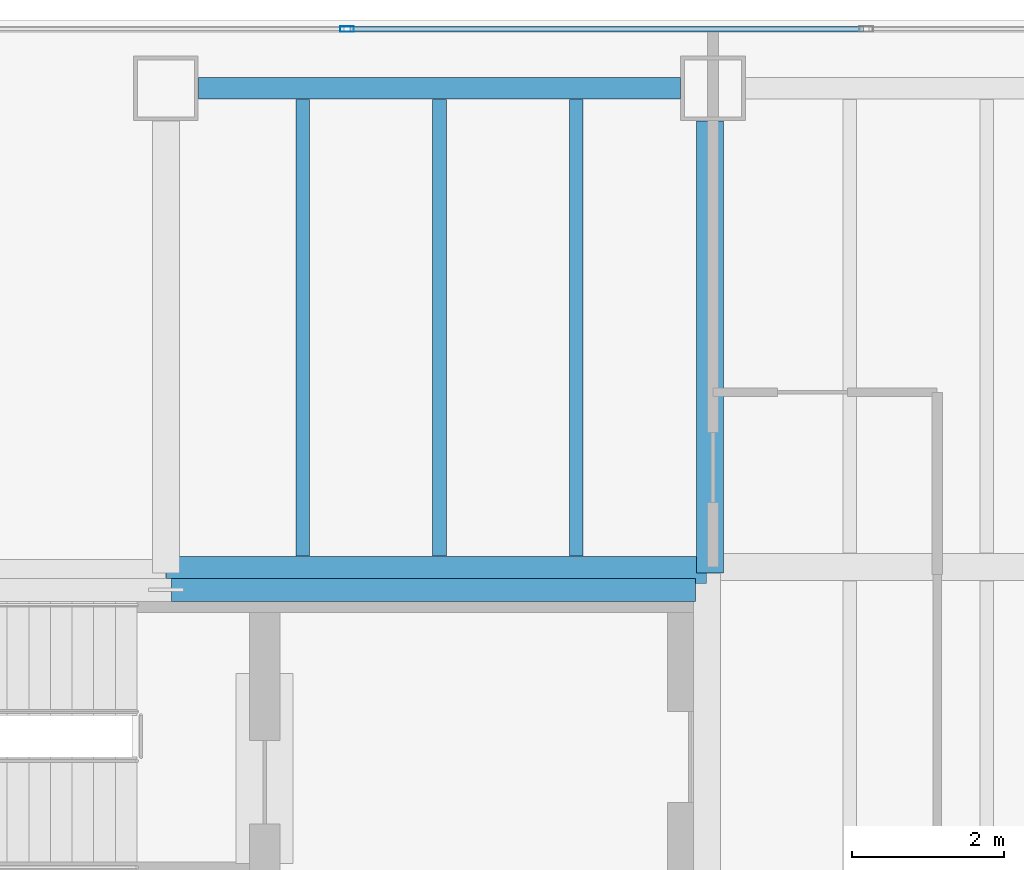
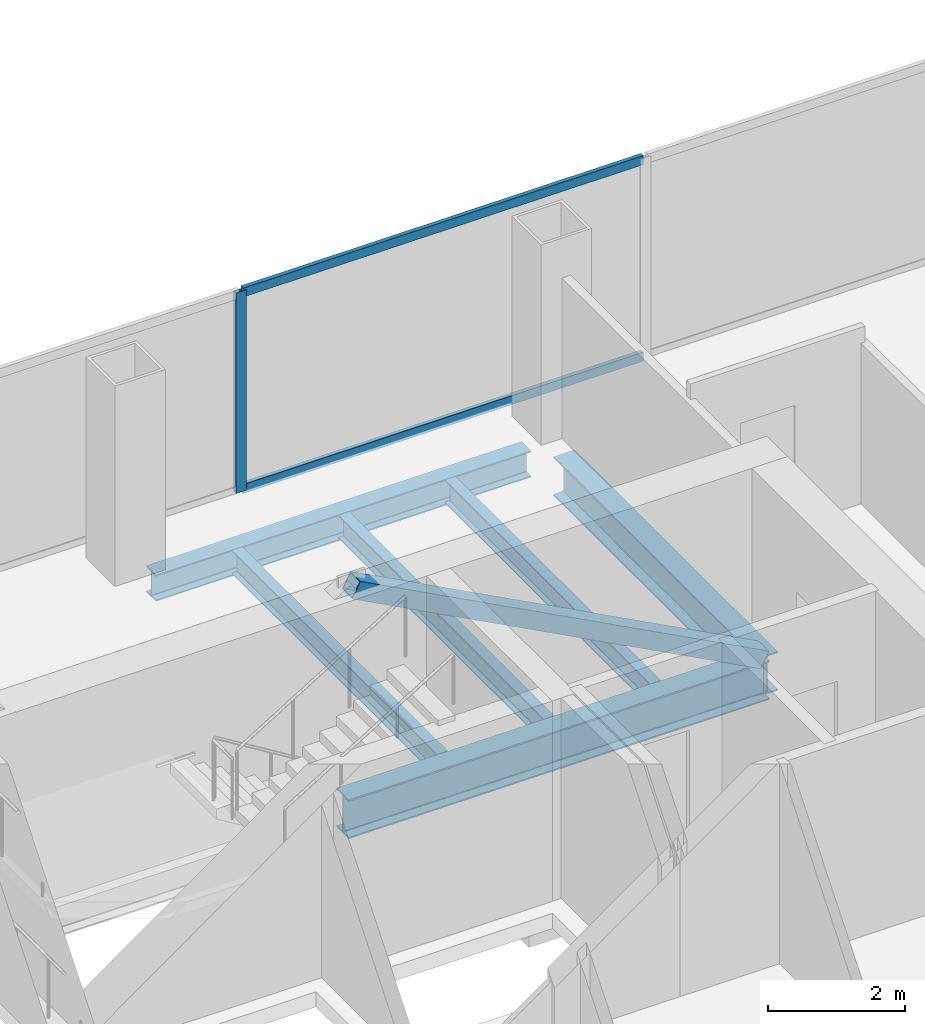
# One storey, part 17 of 23: 6 beams, 4 members, 1 element without a shape of its own.
"""IFC4 building model written with IfcOpenShell, lengths in metres."""

from ifc_helpers import new_model, si_unit, direction, frame, origin, origin_2d, place, context, subcontext, project, spatial, hollow_rectangle, i_section, extrude, material, material_profile, profile_set, type_object, element, aggregate, save


model = new_model("IFC4")

# Units and contexts
model_context = context("Model", 3, precision=1e-05, world=origin(), true_north=direction((0.0, 1.0)))
body_context = subcontext(model_context, "Body", "Model", "MODEL_VIEW")
ifc_project = project(units=[si_unit("LENGTHUNIT", "METRE"), si_unit("AREAUNIT", "SQUARE_METRE"), si_unit("VOLUMEUNIT", "CUBIC_METRE"), si_unit("PLANEANGLEUNIT", "RADIAN"), si_unit("MASSUNIT", "GRAM", prefix="KILO")], contexts=[model_context])

# Site, building, storey
site_placement = place(None, origin())
site = spatial("IfcSite", under=ifc_project, at=site_placement, CompositionType="ELEMENT")
building_placement = place(site_placement, origin())
building = spatial("IfcBuilding", under=site, at=building_placement, Name="Cobrela Telecom Tower", CompositionType="ELEMENT")
storey_placement = place(building_placement, frame((0.0, 0.0, 156.10009765625)))
storey = spatial("IfcBuildingStorey", under=building, at=storey_placement, Name="L39", CompositionType="ELEMENT", Elevation=156.10009765625)

# Beams
ifc_material_1 = material(Name="Steel ASTM A992 Grade 50", Category="steel")
ifc_material_profile_1 = material_profile(ifc_material_1, i_section(OverallWidth=0.35595703125, OverallDepth=0.696044921875, WebThickness=0.015380859375, FlangeThickness=0.024658203125, FilletRadius=0.01806640625, at=origin_2d()), Name="W27X146")
ifc_profile_set_1 = profile_set([ifc_material_profile_1], Name="Steel ASTM A992 Grade 50")
beam_type_1 = type_object("IfcBeamType", Name="BM-GIRD-05", PredefinedType="USERDEFINED", material=ifc_profile_set_1)
beam_1_placement = place(storey_placement, frame((7.205078125, 35.9599609375, -0.6181640625), z_axis=(1.0, 0.0, 0.0), x_axis=(0.0, 1.0, 0.0)))
element("IfcBeam", 1, at=beam_1_placement, inside=storey, type_object=beam_type_1, Name="L39 Primary Girder X22", ObjectType="GIRDER", PredefinedType="USERDEFINED", context=body_context, shape_type="SweptSolid", body=[
    extrude(i_section(OverallWidth=0.35595703125, OverallDepth=0.696044921875, WebThickness=0.015380859375, FlangeThickness=0.024658203125, FilletRadius=0.01806640625, at=origin_2d()), origin(), (0.0, 0.0, 1.0), 7.10986328125),
])
beam_2_placement = place(storey_placement, frame((14.360107421875, 35.925048828125, -0.6181640625), z_axis=(0.0, 1.0, 0.0), x_axis=(-1.0, 0.0, 0.0)))
element("IfcBeam", 2, at=beam_2_placement, inside=storey, type_object=beam_type_1, Name="L39 Primary Girder Y34", ObjectType="GIRDER", PredefinedType="USERDEFINED", context=body_context, shape_type="SweptSolid", body=[
    extrude(i_section(OverallWidth=0.35595703125, OverallDepth=0.696044921875, WebThickness=0.015380859375, FlangeThickness=0.024658203125, FilletRadius=0.01806640625, at=origin_2d()), origin(), (0.0, 0.0, 1.0), 5.945068359375),
])
ifc_material_profile_2 = material_profile(ifc_material_1, i_section(OverallWidth=0.179931640625, OverallDepth=0.4169921875, WebThickness=0.010986328125, FlangeThickness=0.01806640625, FilletRadius=0.011962890625, at=origin_2d()), Name="W16X57")
ifc_profile_set_2 = profile_set([ifc_material_profile_2], Name="Steel ASTM A992 Grade 50")
beam_type_2 = type_object("IfcBeamType", Name="BM-JOIST-04", PredefinedType="JOIST", material=ifc_profile_set_2)
for number, where, z_axis, x_axis, name in (
    (3, (9.0, 36.14306640625, -0.478515625), (0.0, 1.0, 0.0), (-1.0, 0.0, 0.0), "L39 Secondary Composite Floor Beam J01"),
    (4, (10.800048828125, 36.14306640625, -0.478515625), (0.0, 1.0, 0.0), (-1.0, 0.0, 0.0), "L39 Secondary Composite Floor Beam J02"),
    (5, (12.60009765625, 36.14306640625, -0.478515625), (0.0, 1.0, 0.0), (-1.0, 0.0, 0.0), "L39 Secondary Composite Floor Beam J03"),
):
    element("IfcBeam", number, at=place(storey_placement, frame(where, z_axis=z_axis, x_axis=x_axis)), inside=storey, type_object=beam_type_2, Name=name, PredefinedType="JOIST", context=body_context, shape_type="SweptSolid", body=[
        extrude(i_section(OverallWidth=0.179931640625, OverallDepth=0.4169921875, WebThickness=0.010986328125, FlangeThickness=0.01806640625, FilletRadius=0.011962890625, at=origin_2d()), origin(), (0.0, 0.0, 1.0), 6.010986328125),
    ])
ifc_material_profile_3 = material_profile(ifc_material_1, i_section(OverallWidth=0.281982421875, OverallDepth=0.467041015625, WebThickness=0.01220703125, FlangeThickness=0.01953125, FilletRadius=0.012939453125, at=origin_2d()), Name="W18X86")
ifc_profile_set_3 = profile_set([ifc_material_profile_3], Name="Steel ASTM A992 Grade 50")
beam_type_3 = type_object("IfcBeamType", Name="BM-SPAND-04", PredefinedType="SPANDREL", material=ifc_profile_set_3)
beam_3_placement = place(storey_placement, frame((7.6298828125, 42.300048828125, -0.503662109375), z_axis=(1.0, 0.0, 0.0), x_axis=(0.0, 1.0, 0.0)))
element("IfcBeam", 6, at=beam_3_placement, inside=storey, type_object=beam_type_3, Name="L39 Perimeter Spandrel X25", PredefinedType="SPANDREL", context=body_context, shape_type="SweptSolid", body=[
    extrude(i_section(OverallWidth=0.281982421875, OverallDepth=0.467041015625, WebThickness=0.01220703125, FlangeThickness=0.01953125, FilletRadius=0.012939453125, at=origin_2d()), origin(), (0.0, 0.0, 1.0), 6.340087890625),
])

# Curtain wall, members
ifc_material_2 = material(Name="Anodized Bronze Aluminium 6063-T6", Category="aluminium")
curtain_wall_type = type_object("IfcCurtainWallType", Name="CW-SYS-TEL", PredefinedType="USERDEFINED", material=ifc_material_2)
curtain_wall_placement = place(storey_placement, origin())
curtain_wall = element("IfcCurtainWall", 7, at=curtain_wall_placement, inside=storey, type_object=curtain_wall_type, Name="L39 Unitised Bronze Curtain Wall 07", ObjectType="UNITISED CURTAIN WALL", PredefinedType="USERDEFINED")
ifc_material_profile_4 = material_profile(ifc_material_2, hollow_rectangle(XDim=0.074951171875, YDim=0.179931640625, WallThickness=0.00390625, at=origin_2d()), Name="ALU 75x180x4")
ifc_profile_set_4 = profile_set([ifc_material_profile_4], Name="Anodized Bronze Aluminium 6063-T6")
member_type_1 = type_object("IfcMemberType", Name="CW-SYS-TEL-MUL", PredefinedType="MULLION", material=ifc_profile_set_4)
member_1_placement = place(storey_placement, frame((9.583251953125, 43.080078125, 0.0), z_axis=(0.0, 0.0, 1.0), x_axis=(0.0, 1.0, 0.0)))
member_1 = element("IfcMember", 8, at=member_1_placement, type_object=member_type_1, Name="CW-TEL mullion 2", PredefinedType="MULLION", context=body_context, shape_type="SweptSolid", body=[
    extrude(hollow_rectangle(XDim=0.074951171875, YDim=0.179931640625, WallThickness=0.00390625, at=origin_2d()), origin(), (0.0, 0.0, 1.0), 3.579833984375),
])
ifc_material_profile_5 = material_profile(ifc_material_2, hollow_rectangle(XDim=0.070068359375, YDim=0.159912109375, WallThickness=0.00390625, at=origin_2d()), Name="ALU 70x160x4")
ifc_profile_set_5 = profile_set([ifc_material_profile_5], Name="Anodized Bronze Aluminium 6063-T6")
member_type_2 = type_object("IfcMemberType", Name="CW-SYS-TEL-TRN", PredefinedType="USERDEFINED", material=ifc_profile_set_5)
member_2_placement = place(storey_placement, frame((9.620849609375, 43.080078125, 0.034912109375), z_axis=(1.0, 0.0, 0.0), x_axis=(0.0, 1.0, 0.0)))
member_2 = element("IfcMember", 9, at=member_2_placement, type_object=member_type_2, Name="CW-TEL transom 2.1", ObjectType="TRANSOM", PredefinedType="USERDEFINED", context=body_context, shape_type="SweptSolid", body=[
    extrude(hollow_rectangle(XDim=0.070068359375, YDim=0.159912109375, WallThickness=0.00390625, at=origin_2d()), origin(), (0.0, 0.0, 1.0), 6.75830078125),
])
member_3_placement = place(storey_placement, frame((9.620849609375, 43.080078125, 3.544921875), z_axis=(1.0, 0.0, 0.0), x_axis=(0.0, 1.0, 0.0)))
member_3 = element("IfcMember", 10, at=member_3_placement, type_object=member_type_2, Name="CW-TEL transom 2.2", ObjectType="TRANSOM", PredefinedType="USERDEFINED", context=body_context, shape_type="SweptSolid", body=[
    extrude(hollow_rectangle(XDim=0.070068359375, YDim=0.159912109375, WallThickness=0.00390625, at=origin_2d()), origin(), (0.0, 0.0, 1.0), 6.75830078125),
])
aggregate(curtain_wall, [member_1, member_2, member_3])

# Member
ifc_material_3 = material(Name="Steel ASTM A572 Grade 50", Category="steel")
ifc_material_profile_6 = material_profile(ifc_material_3, hollow_rectangle(XDim=0.300048828125, YDim=0.300048828125, WallThickness=0.01611328125, at=origin_2d()), Name="HSS 300x300x16")
ifc_profile_set_6 = profile_set([ifc_material_profile_6], Name="Steel ASTM A572 Grade 50")
member_type_3 = type_object("IfcMemberType", Name="MBR-EXO-03", PredefinedType="BRACE", material=ifc_profile_set_6)
member_4_placement = place(storey_placement, frame((14.10009765625, 35.699951171875, -0.0400390625), z_axis=(-0.883422698386, 0.0, 0.468576926423), x_axis=(0.0, -1.0, 0.0)))
element("IfcMember", 11, at=member_4_placement, inside=storey, type_object=member_type_3, Name="L39 Core Flange Steel Brace N2", PredefinedType="BRACE", context=body_context, shape_type="SweptSolid", body=[
    extrude(hollow_rectangle(XDim=0.300048828125, YDim=0.300048828125, WallThickness=0.01611328125, at=origin_2d()), origin(), (0.0, 0.0, 1.0), 7.810791015625),
])

save(model, "model.ifc")
